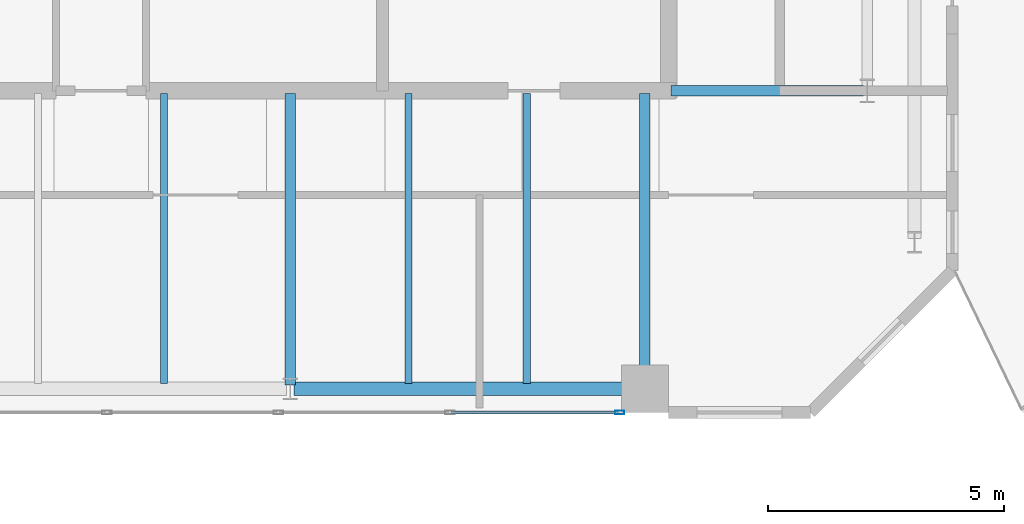
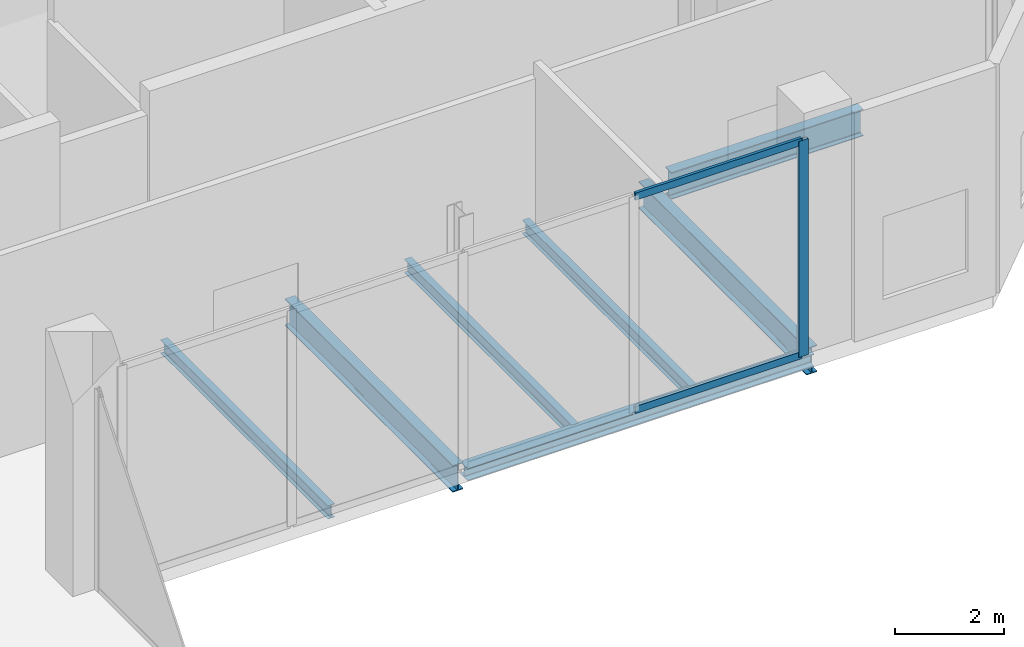
# One storey, part 10 of 17: 7 beams, 3 members, 1 element without a shape of its own.
"""IFC4 building model written with IfcOpenShell, lengths in metres."""

from ifc_helpers import new_model, si_unit, direction, frame, origin, origin_2d, place, context, subcontext, project, spatial, hollow_rectangle, i_section, extrude, material, layer, layer_set, material_profile, profile_set, type_object, element, aggregate, save


model = new_model("IFC4")

# Units and contexts
model_context = context("Model", 3, precision=1e-05, world=origin(), true_north=direction((0.0, 1.0)))
body_context = subcontext(model_context, "Body", "Model", "MODEL_VIEW")
ifc_project = project(units=[si_unit("LENGTHUNIT", "METRE"), si_unit("AREAUNIT", "SQUARE_METRE"), si_unit("VOLUMEUNIT", "CUBIC_METRE"), si_unit("PLANEANGLEUNIT", "RADIAN"), si_unit("MASSUNIT", "GRAM", prefix="KILO")], contexts=[model_context])

# Site, building, storey
site_placement = place(None, origin())
site = spatial("IfcSite", under=ifc_project, at=site_placement, CompositionType="ELEMENT")
building_placement = place(site_placement, origin())
building = spatial("IfcBuilding", under=site, at=building_placement, Name="Catumbela Crestline Tower", CompositionType="ELEMENT")
storey_placement = place(building_placement, frame((0.0, 0.0, 213.0)))
storey = spatial("IfcBuildingStorey", under=building, at=storey_placement, Name="L55", CompositionType="ELEMENT", Elevation=213.0)

# Beams
ifc_material_1 = material(Name="Structural steel S355J2", Category="steel")
ifc_material_profile_1 = material_profile(ifc_material_1, i_section(OverallWidth=0.22, OverallDepth=0.6, WebThickness=0.012, FlangeThickness=0.019, FilletRadius=0.024, at=origin_2d()), Name="IPE 600")
ifc_profile_set_1 = profile_set([ifc_material_profile_1], Name="Structural steel S355J2")
beam_type_1 = type_object("IfcBeamType", Name="BG-IPE600", PredefinedType="BEAM", material=ifc_profile_set_1)
beam_1_placement = place(storey_placement, frame((40.05, 30.8, -0.65), z_axis=(1.0, 0.0, 0.0), x_axis=(0.0, 1.0, 0.0)))
element("IfcBeam", 1, at=beam_1_placement, inside=storey, type_object=beam_type_1, Name="L55 Beam BM-L55-M08", PredefinedType="BEAM", context=body_context, shape_type="SweptSolid", body=[
    extrude(i_section(OverallWidth=0.22, OverallDepth=0.6, WebThickness=0.012, FlangeThickness=0.019, FilletRadius=0.024, at=origin_2d()), origin(), (0.0, 0.0, 1.0), 4.07),
])
for number, where, z_axis, x_axis, name in (
    (2, (32.0, 24.58, -0.65), (0.0, 1.0, 0.0), (-1.0, 0.0, 0.0), "L55 Beam BM-L55-SNS17"),
    (3, (39.5, 24.58, -0.65), (0.0, 1.0, 0.0), (-1.0, 0.0, 0.0), "L55 Beam BM-L55-SNS18"),
):
    element("IfcBeam", number, at=place(storey_placement, frame(where, z_axis=z_axis, x_axis=x_axis)), inside=storey, type_object=beam_type_1, Name=name, PredefinedType="BEAM", context=body_context, shape_type="SweptSolid", body=[
        extrude(i_section(OverallWidth=0.22, OverallDepth=0.6, WebThickness=0.012, FlangeThickness=0.019, FilletRadius=0.024, at=origin_2d()), origin(), (0.0, 0.0, 1.0), 6.17),
    ])
ifc_material_profile_2 = material_profile(ifc_material_1, i_section(OverallWidth=0.15, OverallDepth=0.3, WebThickness=0.0071, FlangeThickness=0.0107, FilletRadius=0.015, at=origin_2d()), Name="IPE 300")
ifc_profile_set_2 = profile_set([ifc_material_profile_2], Name="Structural steel S355J2")
beam_type_2 = type_object("IfcBeamType", Name="BJ-IPE300", PredefinedType="JOIST", material=ifc_profile_set_2)
for number, where, z_axis, x_axis, name in (
    (4, (29.333, 24.61, -0.5), (0.0, 1.0, 0.0), (-1.0, 0.0, 0.0), "L55 Joist JS-L55-SP24"),
    (5, (34.5, 24.61, -0.5), (0.0, 1.0, 0.0), (-1.0, 0.0, 0.0), "L55 Joist JS-L55-SP25"),
    (6, (37.0, 24.61, -0.5), (0.0, 1.0, 0.0), (-1.0, 0.0, 0.0), "L55 Joist JS-L55-SP26"),
):
    element("IfcBeam", number, at=place(storey_placement, frame(where, z_axis=z_axis, x_axis=x_axis)), inside=storey, type_object=beam_type_2, Name=name, PredefinedType="JOIST", context=body_context, shape_type="SweptSolid", body=[
        extrude(i_section(OverallWidth=0.15, OverallDepth=0.3, WebThickness=0.0071, FlangeThickness=0.0107, FilletRadius=0.015, at=origin_2d()), origin(), (0.0, 0.0, 1.0), 6.14),
    ])

# Curtain wall, member
ifc_material_2 = material(Name="Aluminium alloy AW-6060-T66", Category="aluminium")
ifc_layer = layer(ifc_material_2, 0.18, Name="Aluminium alloy AW-6060-T66")
ifc_layer_set = layer_set([ifc_layer], Name="Aluminium alloy AW-6060-T66")
curtain_wall_type = type_object("IfcCurtainWallType", Name="CWU-SKY", PredefinedType="USERDEFINED", material=ifc_layer_set)
curtain_wall_placement = place(storey_placement, origin())
curtain_wall = element("IfcCurtainWall", 7, at=curtain_wall_placement, inside=storey, type_object=curtain_wall_type, Name="L55 Unitised Curtain Wall CW-L55-E3S1", ObjectType="UNITISED", PredefinedType="USERDEFINED")
ifc_material_profile_3 = material_profile(ifc_material_2, hollow_rectangle(XDim=0.075, YDim=0.2, WallThickness=0.005, at=origin_2d()), Name="ALU 200x75x5")
ifc_profile_set_3 = profile_set([ifc_material_profile_3], Name="Aluminium alloy AW-6060-T66")
member_type_1 = type_object("IfcMemberType", Name="MUL-200X75", PredefinedType="MULLION", material=ifc_profile_set_3)
member_1_placement = place(storey_placement, frame((38.9675, 24.0, 0.0), z_axis=(0.0, 0.0, 1.0), x_axis=(0.0, 1.0, 0.0)))
member_1 = element("IfcMember", 8, at=member_1_placement, type_object=member_type_1, Name="CWU-SKY mullion 5", PredefinedType="MULLION", context=body_context, shape_type="SweptSolid", body=[
    extrude(hollow_rectangle(XDim=0.075, YDim=0.2, WallThickness=0.005, at=origin_2d()), origin(), (0.0, 0.0, 1.0), 4.84),
])

# Beam
ifc_material_profile_4 = material_profile(ifc_material_1, i_section(OverallWidth=0.28, OverallDepth=0.28, WebThickness=0.0105, FlangeThickness=0.018, FilletRadius=0.024, at=origin_2d()), Name="HEB 280")
ifc_profile_set_4 = profile_set([ifc_material_profile_4], Name="Structural steel S355J2")
beam_type_3 = type_object("IfcBeamType", Name="BS-HEB280", PredefinedType="SPANDREL", material=ifc_profile_set_4)
beam_2_placement = place(storey_placement, frame((32.08, 24.5, -0.49), z_axis=(1.0, 0.0, 0.0), x_axis=(0.0, 1.0, 0.0)))
element("IfcBeam", 9, at=beam_2_placement, inside=storey, type_object=beam_type_3, Name="L55 Spandrel SP-L55-S05", PredefinedType="SPANDREL", context=body_context, shape_type="SweptSolid", body=[
    extrude(i_section(OverallWidth=0.28, OverallDepth=0.28, WebThickness=0.0105, FlangeThickness=0.018, FilletRadius=0.024, at=origin_2d()), origin(), (0.0, 0.0, 1.0), 7.34),
])

# Member
ifc_material_profile_5 = material_profile(ifc_material_2, hollow_rectangle(XDim=0.06, YDim=0.16, WallThickness=0.004, at=origin_2d()), Name="ALU 160x60x4")
ifc_profile_set_5 = profile_set([ifc_material_profile_5], Name="Aluminium alloy AW-6060-T66")
member_type_2 = type_object("IfcMemberType", Name="TRN-160X60", PredefinedType="USERDEFINED", material=ifc_profile_set_5)
member_2_placement = place(storey_placement, frame((35.4075, 24.0, 0.03), z_axis=(1.0, 0.0, 0.0), x_axis=(0.0, 1.0, 0.0)))
member_2 = element("IfcMember", 10, at=member_2_placement, type_object=member_type_2, Name="CWU-SKY transom 4.1", ObjectType="TRANSOM", PredefinedType="USERDEFINED", context=body_context, shape_type="SweptSolid", body=[
    extrude(hollow_rectangle(XDim=0.06, YDim=0.16, WallThickness=0.004, at=origin_2d()), origin(), (0.0, 0.0, 1.0), 3.5275),
])

member_3_placement = place(storey_placement, frame((35.4075, 24.0, 4.81), z_axis=(1.0, 0.0, 0.0), x_axis=(0.0, 1.0, 0.0)))
member_3 = element("IfcMember", 11, at=member_3_placement, type_object=member_type_2, Name="CWU-SKY transom 4.2", ObjectType="TRANSOM", PredefinedType="USERDEFINED", context=body_context, shape_type="SweptSolid", body=[
    extrude(hollow_rectangle(XDim=0.06, YDim=0.16, WallThickness=0.004, at=origin_2d()), origin(), (0.0, 0.0, 1.0), 3.5275),
])

aggregate(curtain_wall, [member_1, member_2, member_3])

save(model, "model.ifc")
